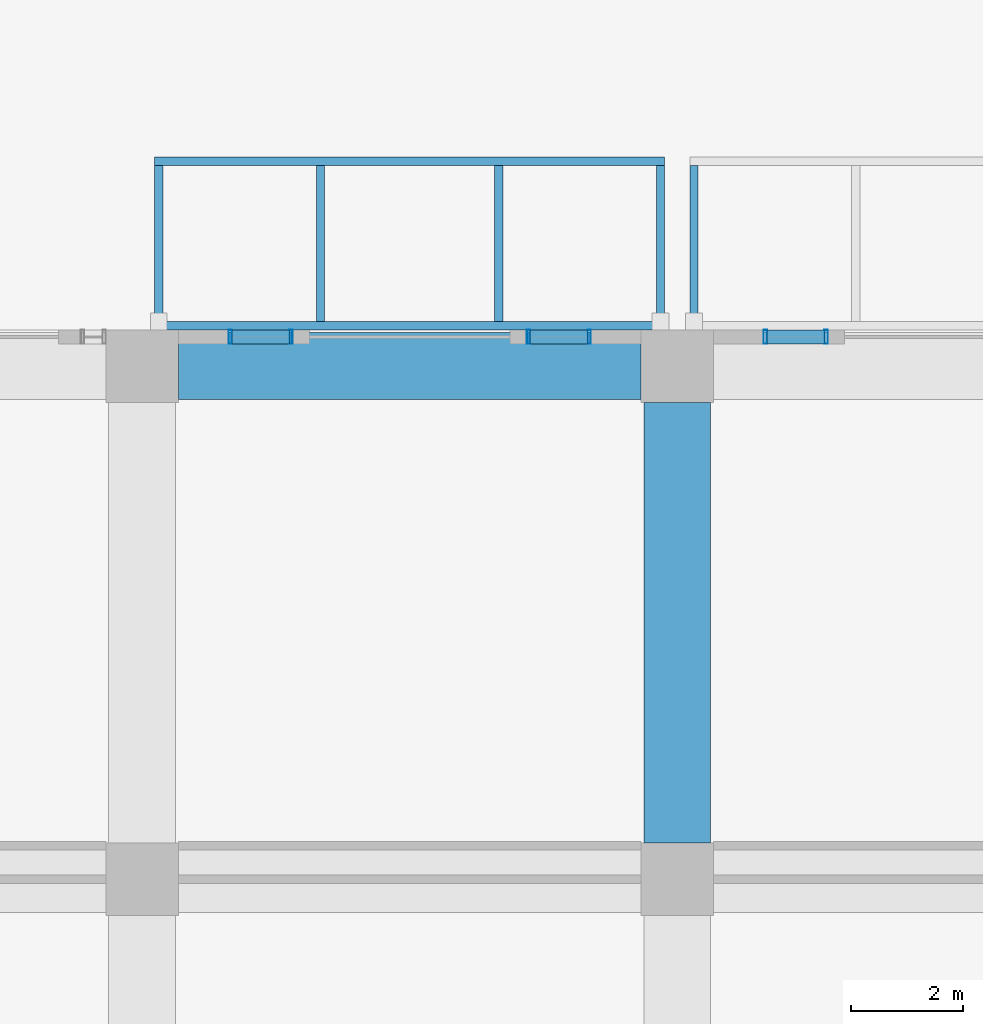
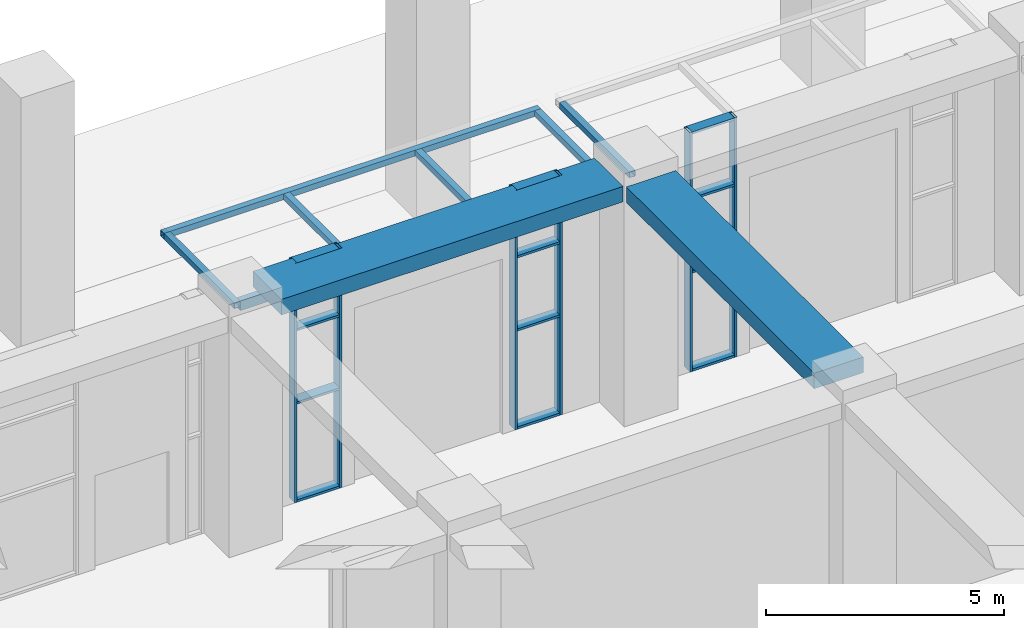
# One storey, part 6 of 45: 25 members, 2 beams, 3 elements without a shape of their own.
"""IFC4 building model written with IfcOpenShell, lengths in metres."""

from ifc_helpers import new_model, si_unit, direction, frame, origin, origin_2d, place, context, subcontext, project, spatial, rectangle, hollow_rectangle, extrude, material, layer, layer_set, material_profile, profile_set, type_object, element, aggregate, save


model = new_model("IFC4")

# Units and contexts
model_context = context("Model", 3, precision=1e-05, world=origin(), true_north=direction((0.0, 1.0)))
body_context = subcontext(model_context, "Body", "Model", "MODEL_VIEW")
ifc_project = project(units=[si_unit("LENGTHUNIT", "METRE"), si_unit("AREAUNIT", "SQUARE_METRE"), si_unit("VOLUMEUNIT", "CUBIC_METRE"), si_unit("PLANEANGLEUNIT", "RADIAN"), si_unit("MASSUNIT", "GRAM", prefix="KILO")], contexts=[model_context])

# Site, building, storey
site_placement = place(None, origin())
site = spatial("IfcSite", under=ifc_project, at=site_placement, CompositionType="ELEMENT")
building_placement = place(site_placement, origin())
building = spatial("IfcBuilding", under=site, at=building_placement, Name="Nzadi Deep Aquarium and Research Tower", CompositionType="ELEMENT")
storey_placement = place(building_placement, origin())
storey = spatial("IfcBuildingStorey", under=building, at=storey_placement, Name="G", CompositionType="ELEMENT", Elevation=0.0)

# Curtain wall, members
ifc_material_1 = material(Name="Aluminium stick frame", Category="aluminium")
ifc_layer = layer(ifc_material_1, 0.25)
ifc_layer_set = layer_set([ifc_layer], Name="Aluminium stick frame")
curtain_wall_type = type_object("IfcCurtainWallType", Name="Curtain wall Stick 250", PredefinedType="NOTDEFINED", material=ifc_layer_set)
curtain_wall_1_placement = place(storey_placement, origin())
curtain_wall_1 = element("IfcCurtainWall", 1, at=curtain_wall_1_placement, inside=storey, type_object=curtain_wall_type, Name="Lobby stick glazing G", PredefinedType="NOTDEFINED")
ifc_material_2 = material(Name="Aluminium stick frame", Category="aluminium")
ifc_material_profile_1 = material_profile(ifc_material_2, hollow_rectangle(XDim=0.25, YDim=0.06005859375, WallThickness=0.0048828125, at=origin_2d()))
ifc_profile_set_1 = profile_set([ifc_material_profile_1], Name="Aluminium stick frame")
member_type_1 = type_object("IfcMemberType", Name="Mullion 60x250 Stick", PredefinedType="MULLION", material=ifc_profile_set_1)
member_1_placement = place(storey_placement, frame((20.780029296875, 132.125, 0.0), z_axis=(0.0, 0.0, 1.0), x_axis=(0.0, 1.0, 0.0)))
member_1 = element("IfcMember", 2, at=member_1_placement, type_object=member_type_1, Name="CW233 mullion 1", PredefinedType="MULLION", context=body_context, shape_type="SweptSolid", body=[
    extrude(hollow_rectangle(XDim=0.25, YDim=0.06005859375, WallThickness=0.0048828125, at=origin_2d()), origin(), (0.0, 0.0, 1.0), 6.14990234375),
])
member_2_placement = place(storey_placement, frame((21.8701171875, 132.125, 0.0), z_axis=(0.0, 0.0, 1.0), x_axis=(0.0, 1.0, 0.0)))
member_2 = element("IfcMember", 3, at=member_2_placement, type_object=member_type_1, Name="CW233 mullion 2", PredefinedType="MULLION", context=body_context, shape_type="SweptSolid", body=[
    extrude(hollow_rectangle(XDim=0.25, YDim=0.06005859375, WallThickness=0.0048828125, at=origin_2d()), origin(), (0.0, 0.0, 1.0), 6.14990234375),
])

curtain_wall_2_placement = place(storey_placement, origin())
curtain_wall_2 = element("IfcCurtainWall", 4, at=curtain_wall_2_placement, inside=storey, type_object=curtain_wall_type, Name="Lobby stick glazing G", PredefinedType="NOTDEFINED")
member_3_placement = place(storey_placement, frame((26.1298828125, 132.125, 0.0), z_axis=(0.0, 0.0, 1.0), x_axis=(0.0, 1.0, 0.0)))
member_3 = element("IfcMember", 5, at=member_3_placement, type_object=member_type_1, Name="CW234 mullion 1", PredefinedType="MULLION", context=body_context, shape_type="SweptSolid", body=[
    extrude(hollow_rectangle(XDim=0.25, YDim=0.06005859375, WallThickness=0.0048828125, at=origin_2d()), origin(), (0.0, 0.0, 1.0), 6.14990234375),
])
member_4_placement = place(storey_placement, frame((27.219970703125, 132.125, 0.0), z_axis=(0.0, 0.0, 1.0), x_axis=(0.0, 1.0, 0.0)))
member_4 = element("IfcMember", 6, at=member_4_placement, type_object=member_type_1, Name="CW234 mullion 2", PredefinedType="MULLION", context=body_context, shape_type="SweptSolid", body=[
    extrude(hollow_rectangle(XDim=0.25, YDim=0.06005859375, WallThickness=0.0048828125, at=origin_2d()), origin(), (0.0, 0.0, 1.0), 6.14990234375),
])

curtain_wall_3_placement = place(storey_placement, origin())
curtain_wall_3 = element("IfcCurtainWall", 7, at=curtain_wall_3_placement, inside=storey, type_object=curtain_wall_type, Name="Lobby stick glazing G", PredefinedType="NOTDEFINED")
member_5_placement = place(storey_placement, frame((30.3798828125, 132.125, 0.0), z_axis=(0.0, 0.0, 1.0), x_axis=(0.0, 1.0, 0.0)))
member_5 = element("IfcMember", 8, at=member_5_placement, type_object=member_type_1, Name="CW237 mullion 1", PredefinedType="MULLION", context=body_context, shape_type="SweptSolid", body=[
    extrude(hollow_rectangle(XDim=0.25, YDim=0.06005859375, WallThickness=0.0048828125, at=origin_2d()), origin(), (0.0, 0.0, 1.0), 6.14990234375),
])
member_6_placement = place(storey_placement, frame((31.469970703125, 132.125, 0.0), z_axis=(0.0, 0.0, 1.0), x_axis=(0.0, 1.0, 0.0)))
member_6 = element("IfcMember", 9, at=member_6_placement, type_object=member_type_1, Name="CW237 mullion 2", PredefinedType="MULLION", context=body_context, shape_type="SweptSolid", body=[
    extrude(hollow_rectangle(XDim=0.25, YDim=0.06005859375, WallThickness=0.0048828125, at=origin_2d()), origin(), (0.0, 0.0, 1.0), 6.14990234375),
])

# Beams
ifc_material_3 = material(Name="Concrete C35/45", Category="concrete")
ifc_material_profile_2 = material_profile(ifc_material_3, rectangle(XDim=1.199951171875, YDim=0.39990234375, at=origin_2d()))
ifc_profile_set_2 = profile_set([ifc_material_profile_2], Name="Concrete C35/45")
beam_type = type_object("IfcBeamType", Name="RC 1200x400", PredefinedType="BEAM", material=ifc_profile_set_2)
beam_1_placement = place(storey_placement, frame((19.85009765625, 131.60009765625, 5.949951171875), z_axis=(1.0, 0.0, 0.0), x_axis=(0.0, 1.0, 0.0)))
element("IfcBeam", 10, at=beam_1_placement, inside=storey, type_object=beam_type, Name="B-Z3-G-L17-3", PredefinedType="BEAM", context=body_context, shape_type="SweptSolid", body=[
    extrude(rectangle(XDim=1.199951171875, YDim=0.39990234375, at=origin_2d()), origin(), (0.0, 0.0, 1.0), 8.2998046875),
])
beam_2_placement = place(storey_placement, frame((28.800048828125, 123.050048828125, 5.949951171875), z_axis=(0.0, 1.0, 0.0), x_axis=(-1.0, 0.0, 0.0)))
element("IfcBeam", 11, at=beam_2_placement, inside=storey, type_object=beam_type, Name="B-Z3-G-CD-4-13", PredefinedType="BEAM", context=body_context, shape_type="SweptSolid", body=[
    extrude(rectangle(XDim=1.199951171875, YDim=0.39990234375, at=origin_2d()), origin(), (0.0, 0.0, 1.0), 7.89990234375),
])

# Members
ifc_material_4 = material(Name="Structural steel S355", Category="steel")
ifc_material_profile_3 = material_profile(ifc_material_4, hollow_rectangle(XDim=0.14990234375, YDim=0.14990234375, WallThickness=0.008056640625, at=origin_2d()))
ifc_profile_set_3 = profile_set([ifc_material_profile_3], Name="Structural steel S355")
member_type_2 = type_object("IfcMemberType", Name="RHS 150x150x8", PredefinedType="RAFTER", material=ifc_profile_set_3)
member_7_placement = place(storey_placement, frame((19.5, 132.25, 5.375), z_axis=(0.0, 1.0, 0.0), x_axis=(-1.0, 0.0, 0.0)))
element("IfcMember", 12, at=member_7_placement, inside=storey, type_object=member_type_2, Name="Canopy rafter", PredefinedType="RAFTER", context=body_context, shape_type="SweptSolid", body=[
    extrude(hollow_rectangle(XDim=0.14990234375, YDim=0.14990234375, WallThickness=0.008056640625, at=origin_2d()), origin(), (0.0, 0.0, 1.0), 2.949951171875),
])
for number, where, z_axis, x_axis, name in (
    (13, (22.39990234375, 132.39990234375, 5.375), (0.0, 1.0, 0.0), (-1.0, 0.0, 0.0), "Canopy rafter"),
    (14, (25.60009765625, 132.39990234375, 5.375), (0.0, 1.0, 0.0), (-1.0, 0.0, 0.0), "Canopy rafter"),
):
    element("IfcMember", number, at=place(storey_placement, frame(where, z_axis=z_axis, x_axis=x_axis)), inside=storey, type_object=member_type_2, Name=name, PredefinedType="RAFTER", context=body_context, shape_type="SweptSolid", body=[
        extrude(hollow_rectangle(XDim=0.14990234375, YDim=0.14990234375, WallThickness=0.008056640625, at=origin_2d()), origin(), (0.0, 0.0, 1.0), 2.800048828125),
    ])
member_8_placement = place(storey_placement, frame((28.5, 132.25, 5.375), z_axis=(0.0, 1.0, 0.0), x_axis=(-1.0, 0.0, 0.0)))
element("IfcMember", 15, at=member_8_placement, inside=storey, type_object=member_type_2, Name="Canopy rafter", PredefinedType="RAFTER", context=body_context, shape_type="SweptSolid", body=[
    extrude(hollow_rectangle(XDim=0.14990234375, YDim=0.14990234375, WallThickness=0.008056640625, at=origin_2d()), origin(), (0.0, 0.0, 1.0), 2.949951171875),
])
member_9_placement = place(storey_placement, frame((19.425048828125, 135.27490234375, 5.375), z_axis=(1.0, 0.0, 0.0), x_axis=(0.0, 1.0, 0.0)))
element("IfcMember", 16, at=member_9_placement, inside=storey, type_object=member_type_2, Name="Canopy tip beam", PredefinedType="RAFTER", context=body_context, shape_type="SweptSolid", body=[
    extrude(hollow_rectangle(XDim=0.14990234375, YDim=0.14990234375, WallThickness=0.008056640625, at=origin_2d()), origin(), (0.0, 0.0, 1.0), 9.14990234375),
])
member_10_placement = place(storey_placement, frame((29.10009765625, 132.25, 5.375), z_axis=(0.0, 1.0, 0.0), x_axis=(-1.0, 0.0, 0.0)))
element("IfcMember", 17, at=member_10_placement, inside=storey, type_object=member_type_2, Name="Canopy rafter", PredefinedType="RAFTER", context=body_context, shape_type="SweptSolid", body=[
    extrude(hollow_rectangle(XDim=0.14990234375, YDim=0.14990234375, WallThickness=0.008056640625, at=origin_2d()), origin(), (0.0, 0.0, 1.0), 2.949951171875),
])
ifc_material_5 = material(Name="Structural steel S355", Category="steel")
ifc_material_profile_4 = material_profile(ifc_material_5, hollow_rectangle(XDim=0.14990234375, YDim=0.25, WallThickness=0.010009765625, at=origin_2d()))
ifc_profile_set_4 = profile_set([ifc_material_profile_4], Name="Structural steel S355")
member_type_3 = type_object("IfcMemberType", Name="RHS 250x150x10", PredefinedType="RAFTER", material=ifc_profile_set_4)
member_11_placement = place(storey_placement, frame((19.574951171875, 132.324951171875, 5.324951171875), z_axis=(1.0, 0.0, 0.0), x_axis=(0.0, 1.0, 0.0)))
element("IfcMember", 18, at=member_11_placement, inside=storey, type_object=member_type_3, Name="Canopy header beam", PredefinedType="RAFTER", context=body_context, shape_type="SweptSolid", body=[
    extrude(hollow_rectangle(XDim=0.14990234375, YDim=0.25, WallThickness=0.010009765625, at=origin_2d()), origin(), (0.0, 0.0, 1.0), 8.85009765625),
])

# Member
ifc_material_6 = material(Name="Aluminium stick frame", Category="aluminium")
ifc_material_profile_5 = material_profile(ifc_material_6, hollow_rectangle(XDim=0.25, YDim=0.06005859375, WallThickness=0.0048828125, at=origin_2d()))
ifc_profile_set_5 = profile_set([ifc_material_profile_5], Name="Aluminium stick frame")
member_type_4 = type_object("IfcMemberType", Name="Transom 60x250 Stick", PredefinedType="MULLION", material=ifc_profile_set_5)
member_12_placement = place(storey_placement, frame((20.81005859375, 132.125, 0.030029296875), z_axis=(1.0, 0.0, 0.0), x_axis=(0.0, 1.0, 0.0)))
member_12 = element("IfcMember", 19, at=member_12_placement, type_object=member_type_4, Name="CW233 transom 1.1", PredefinedType="MULLION", context=body_context, shape_type="SweptSolid", body=[
    extrude(hollow_rectangle(XDim=0.25, YDim=0.06005859375, WallThickness=0.0048828125, at=origin_2d()), origin(), (0.0, 0.0, 1.0), 1.030029296875),
])

member_13_placement = place(storey_placement, frame((20.81005859375, 132.125, 2.550048828125), z_axis=(1.0, 0.0, 0.0), x_axis=(0.0, 1.0, 0.0)))
member_13 = element("IfcMember", 20, at=member_13_placement, type_object=member_type_4, Name="CW233 transom 1.2", PredefinedType="MULLION", context=body_context, shape_type="SweptSolid", body=[
    extrude(hollow_rectangle(XDim=0.25, YDim=0.06005859375, WallThickness=0.0048828125, at=origin_2d()), origin(), (0.0, 0.0, 1.0), 1.030029296875),
])

member_14_placement = place(storey_placement, frame((20.81005859375, 132.125, 4.427978515625), z_axis=(1.0, 0.0, 0.0), x_axis=(0.0, 1.0, 0.0)))
member_14 = element("IfcMember", 21, at=member_14_placement, type_object=member_type_4, Name="CW233 transom 1.3", PredefinedType="MULLION", context=body_context, shape_type="SweptSolid", body=[
    extrude(hollow_rectangle(XDim=0.25, YDim=0.06005859375, WallThickness=0.0048828125, at=origin_2d()), origin(), (0.0, 0.0, 1.0), 1.030029296875),
])

member_15_placement = place(storey_placement, frame((20.81005859375, 132.125, 6.1201171875), z_axis=(1.0, 0.0, 0.0), x_axis=(0.0, 1.0, 0.0)))
member_15 = element("IfcMember", 22, at=member_15_placement, type_object=member_type_4, Name="CW233 transom 1.4", PredefinedType="MULLION", context=body_context, shape_type="SweptSolid", body=[
    extrude(hollow_rectangle(XDim=0.25, YDim=0.06005859375, WallThickness=0.0048828125, at=origin_2d()), origin(), (0.0, 0.0, 1.0), 1.030029296875),
])

aggregate(curtain_wall_1, [member_1, member_2, member_12, member_13, member_14, member_15])

member_16_placement = place(storey_placement, frame((26.159912109375, 132.125, 0.030029296875), z_axis=(1.0, 0.0, 0.0), x_axis=(0.0, 1.0, 0.0)))
member_16 = element("IfcMember", 23, at=member_16_placement, type_object=member_type_4, Name="CW234 transom 1.1", PredefinedType="MULLION", context=body_context, shape_type="SweptSolid", body=[
    extrude(hollow_rectangle(XDim=0.25, YDim=0.06005859375, WallThickness=0.0048828125, at=origin_2d()), origin(), (0.0, 0.0, 1.0), 1.030029296875),
])

member_17_placement = place(storey_placement, frame((26.159912109375, 132.125, 2.550048828125), z_axis=(1.0, 0.0, 0.0), x_axis=(0.0, 1.0, 0.0)))
member_17 = element("IfcMember", 24, at=member_17_placement, type_object=member_type_4, Name="CW234 transom 1.2", PredefinedType="MULLION", context=body_context, shape_type="SweptSolid", body=[
    extrude(hollow_rectangle(XDim=0.25, YDim=0.06005859375, WallThickness=0.0048828125, at=origin_2d()), origin(), (0.0, 0.0, 1.0), 1.030029296875),
])

member_18_placement = place(storey_placement, frame((26.159912109375, 132.125, 4.427978515625), z_axis=(1.0, 0.0, 0.0), x_axis=(0.0, 1.0, 0.0)))
member_18 = element("IfcMember", 25, at=member_18_placement, type_object=member_type_4, Name="CW234 transom 1.3", PredefinedType="MULLION", context=body_context, shape_type="SweptSolid", body=[
    extrude(hollow_rectangle(XDim=0.25, YDim=0.06005859375, WallThickness=0.0048828125, at=origin_2d()), origin(), (0.0, 0.0, 1.0), 1.030029296875),
])

member_19_placement = place(storey_placement, frame((26.159912109375, 132.125, 6.1201171875), z_axis=(1.0, 0.0, 0.0), x_axis=(0.0, 1.0, 0.0)))
member_19 = element("IfcMember", 26, at=member_19_placement, type_object=member_type_4, Name="CW234 transom 1.4", PredefinedType="MULLION", context=body_context, shape_type="SweptSolid", body=[
    extrude(hollow_rectangle(XDim=0.25, YDim=0.06005859375, WallThickness=0.0048828125, at=origin_2d()), origin(), (0.0, 0.0, 1.0), 1.030029296875),
])

aggregate(curtain_wall_2, [member_3, member_4, member_16, member_17, member_18, member_19])

member_20_placement = place(storey_placement, frame((30.409912109375, 132.125, 0.030029296875), z_axis=(1.0, 0.0, 0.0), x_axis=(0.0, 1.0, 0.0)))
member_20 = element("IfcMember", 27, at=member_20_placement, type_object=member_type_4, Name="CW237 transom 1.1", PredefinedType="MULLION", context=body_context, shape_type="SweptSolid", body=[
    extrude(hollow_rectangle(XDim=0.25, YDim=0.06005859375, WallThickness=0.0048828125, at=origin_2d()), origin(), (0.0, 0.0, 1.0), 1.030029296875),
])

member_21_placement = place(storey_placement, frame((30.409912109375, 132.125, 2.550048828125), z_axis=(1.0, 0.0, 0.0), x_axis=(0.0, 1.0, 0.0)))
member_21 = element("IfcMember", 28, at=member_21_placement, type_object=member_type_4, Name="CW237 transom 1.2", PredefinedType="MULLION", context=body_context, shape_type="SweptSolid", body=[
    extrude(hollow_rectangle(XDim=0.25, YDim=0.06005859375, WallThickness=0.0048828125, at=origin_2d()), origin(), (0.0, 0.0, 1.0), 1.030029296875),
])

member_22_placement = place(storey_placement, frame((30.409912109375, 132.125, 4.427978515625), z_axis=(1.0, 0.0, 0.0), x_axis=(0.0, 1.0, 0.0)))
member_22 = element("IfcMember", 29, at=member_22_placement, type_object=member_type_4, Name="CW237 transom 1.3", PredefinedType="MULLION", context=body_context, shape_type="SweptSolid", body=[
    extrude(hollow_rectangle(XDim=0.25, YDim=0.06005859375, WallThickness=0.0048828125, at=origin_2d()), origin(), (0.0, 0.0, 1.0), 1.030029296875),
])

member_23_placement = place(storey_placement, frame((30.409912109375, 132.125, 6.1201171875), z_axis=(1.0, 0.0, 0.0), x_axis=(0.0, 1.0, 0.0)))
member_23 = element("IfcMember", 30, at=member_23_placement, type_object=member_type_4, Name="CW237 transom 1.4", PredefinedType="MULLION", context=body_context, shape_type="SweptSolid", body=[
    extrude(hollow_rectangle(XDim=0.25, YDim=0.06005859375, WallThickness=0.0048828125, at=origin_2d()), origin(), (0.0, 0.0, 1.0), 1.030029296875),
])

aggregate(curtain_wall_3, [member_5, member_6, member_20, member_21, member_22, member_23])

save(model, "model.ifc")
